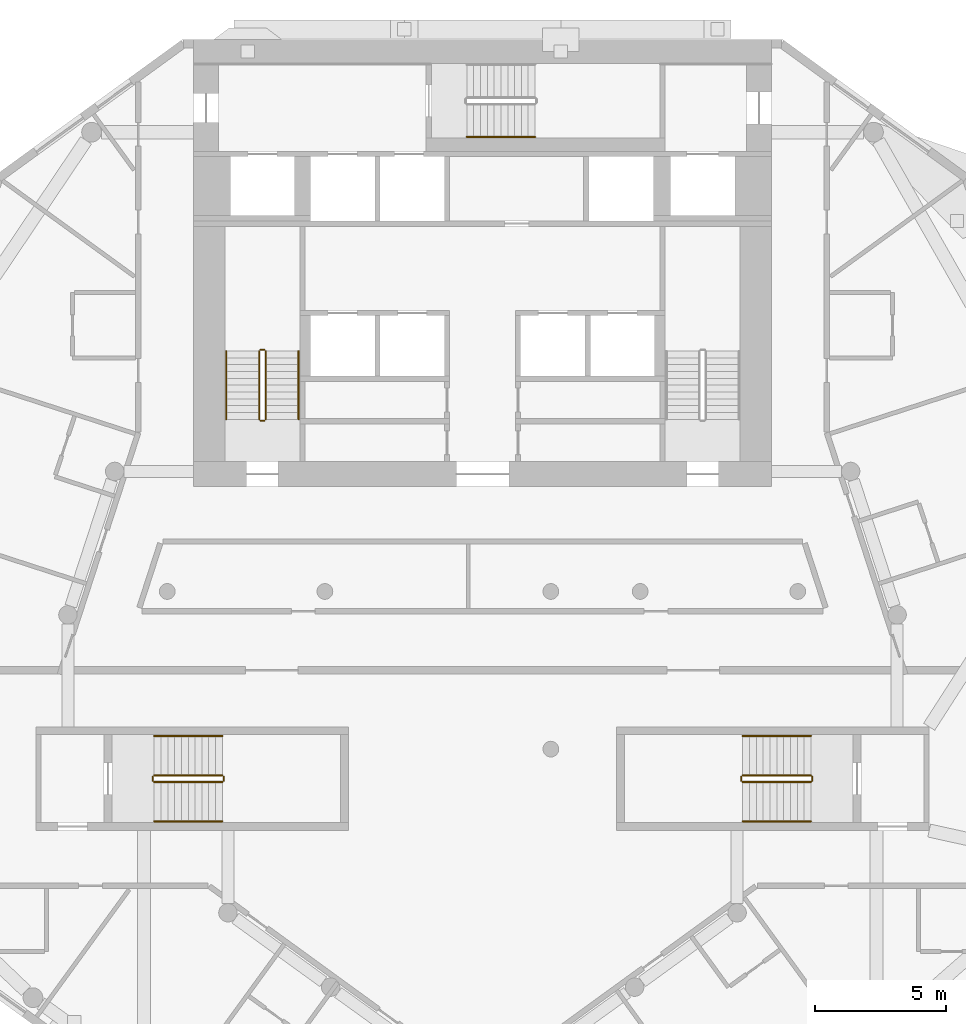
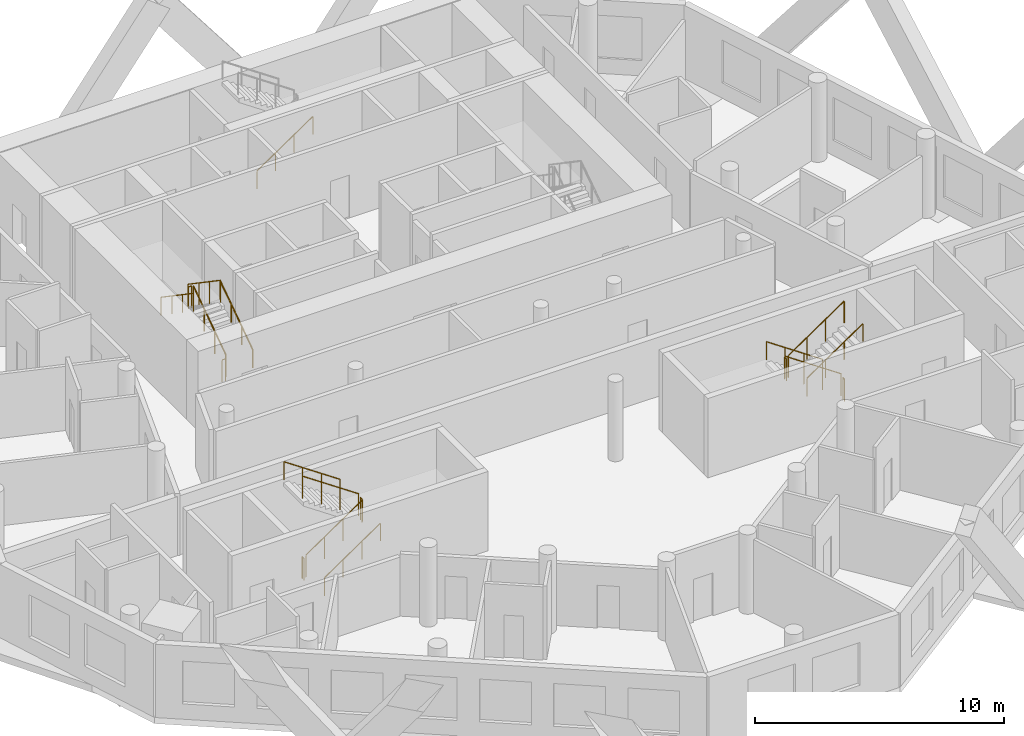
# One storey, part 9 of 10: 19 railings.
"""IFC4 building model written with IfcOpenShell, lengths in metres."""

import ifcopenshell
import ifcopenshell.guid

model = None  # the IFC model being written
_history = None  # IfcOwnerHistory: only IFC2X3 demands one
_inside = {}  # id of a spatial element -> (the spatial element, [elements in it])
_under = {}  # id of a project, library or spatial element -> (it, [spatial elements below it])
_declared = {}  # id of a project -> (the project, [libraries it declares])
_typed = {}  # id of a type object -> (the type object, [elements of that type])
_made_of = {}  # id of a material, layer set ... -> (it, [elements and type objects made of it])


def new_model(schema):
    """Start an empty IFC model of exactly this schema.

    Asked for "IFC4X3", IfcOpenShell would pick the latest addendum, in which some entities
    have other attributes; the version numbers below select the first issue.
    IFC2X3 requires an IfcOwnerHistory on every rooted entity: one is made here for all.
    """
    global model, _history
    if schema == "IFC4X3":
        model = ifcopenshell.file(schema_version=(4, 3, 0, 0))
    else:
        model = ifcopenshell.file(schema=schema)
    _inside.clear()
    _under.clear()
    _declared.clear()
    _typed.clear()
    _made_of.clear()
    _history = None
    if model.schema == "IFC2X3":
        org = make("IfcOrganization", Name="unknown")
        user = make(
            "IfcPersonAndOrganization",
            ThePerson=make("IfcPerson", FamilyName="unknown"),
            TheOrganization=org,
        )
        app = make(
            "IfcApplication",
            ApplicationDeveloper=org,
            Version="unknown",
            ApplicationFullName="unknown",
            ApplicationIdentifier="unknown",
        )
        _history = make(
            "IfcOwnerHistory",
            OwningUser=user,
            OwningApplication=app,
            ChangeAction="ADDED",
            CreationDate=0,
        )
    return model


def make(cls, **values):
    """One entity of the class cls with the attributes given. An attribute that is None is left unset."""
    return model.create_entity(
        cls, **{name: value for name, value in values.items() if value is not None}
    )


def rooted(cls, **values):
    """An entity with a GlobalId (a new one), such as an element, a storey or a relation."""
    return make(cls, GlobalId=ifcopenshell.guid.new(), OwnerHistory=_history, **values)


def si_unit(unit_type, name, prefix=None):
    """IfcSIUnit, for example si_unit("LENGTHUNIT", "METRE", prefix="MILLI")."""
    return make("IfcSIUnit", UnitType=unit_type, Prefix=prefix, Name=name)


def assignment(units):
    """IfcUnitAssignment: the units of a project."""
    return None if units is None else make("IfcUnitAssignment", Units=units)


def point(xyz):
    """IfcCartesianPoint."""
    return None if xyz is None else make("IfcCartesianPoint", Coordinates=xyz)


def direction(xyz):
    """IfcDirection."""
    return None if xyz is None else make("IfcDirection", DirectionRatios=xyz)


def frame(location, z_axis=None, x_axis=None):
    """IfcAxis2Placement3D, a coordinate frame: its origin and axes. An axis left out is left unset."""
    return make(
        "IfcAxis2Placement3D",
        Location=point(location),
        Axis=direction(z_axis),
        RefDirection=direction(x_axis),
    )


def frame_2d(location, x_axis=None):
    """IfcAxis2Placement2D, a coordinate frame in the plane: its origin and x axis."""
    return make(
        "IfcAxis2Placement2D", Location=point(location), RefDirection=direction(x_axis)
    )


def origin():
    """The frame at (0, 0, 0) with its axes left unset."""
    return frame((0.0, 0.0, 0.0))


def origin_2d():
    """The frame at (0, 0) in the plane with its x axis left unset."""
    return frame_2d((0.0, 0.0))


def place(relative_to, where):
    """IfcLocalPlacement: puts the frame where relative to a parent placement (None: the world)."""
    return make(
        "IfcLocalPlacement", PlacementRelTo=relative_to, RelativePlacement=where
    )


def context(
    kind, dimensions, precision=None, world=None, true_north=None, identifier=None
):
    """IfcGeometricRepresentationContext, for example the 3D "Model" context."""
    return make(
        "IfcGeometricRepresentationContext",
        ContextIdentifier=identifier,
        ContextType=kind,
        CoordinateSpaceDimension=dimensions,
        Precision=precision,
        WorldCoordinateSystem=world,
        TrueNorth=true_north,
    )


def subcontext(parent, identifier, kind, view, scale=None):
    """IfcGeometricRepresentationSubContext, for example "Body" below "Model"."""
    return make(
        "IfcGeometricRepresentationSubContext",
        ContextIdentifier=identifier,
        ContextType=kind,
        ParentContext=parent,
        TargetScale=scale,
        TargetView=view,
    )


def project(units=None, contexts=None):
    """IfcProject with its units and contexts."""
    return rooted(
        "IfcProject",
        Name="project",
        RepresentationContexts=contexts,
        UnitsInContext=assignment(units),
    )


def spatial(cls, under=None, at=None, **own):
    """A site, building, storey or space (cls), placed at a placement, below another one or the project."""
    s = rooted(cls, ObjectPlacement=at, **own)
    if under is not None:
        _under.setdefault(under.id(), (under, []))[1].append(s)
    return s


def profile(cls, at=None, kind="AREA", **sizes):
    """A parametric profile (cls). Its sizes go by their IFC names, for example OverallWidth=200.0."""
    return make(cls, ProfileType=kind, Position=at, **sizes)


def circle(**sizes):
    """IfcCircleProfileDef."""
    return profile("IfcCircleProfileDef", **sizes)


def extrude(swept, where, along, depth):
    """IfcExtrudedAreaSolid: the profile swept, set in the frame where, extruded along a direction by depth."""
    return make(
        "IfcExtrudedAreaSolid",
        SweptArea=swept,
        Position=where,
        ExtrudedDirection=direction(along),
        Depth=depth,
    )


def shape(context_of_items, identifier, shape_type, items):
    """IfcShapeRepresentation: the items that make up one representation, for example the "Body"."""
    return make(
        "IfcShapeRepresentation",
        ContextOfItems=context_of_items,
        RepresentationIdentifier=identifier,
        RepresentationType=shape_type,
        Items=items,
    )


def material(Name=None, Category=None):
    """IfcMaterial."""
    return make("IfcMaterial", Name=Name, Category=Category)


def made_of(thing, what):
    """Note that an element or type object is made of a material, layer set ...; save() writes the relation."""
    if what is not None:
        _made_of.setdefault(what.id(), (what, []))[1].append(thing)
    return thing


def type_object(cls, material=None, **own):
    """A type object (cls), such as IfcWallType, which elements share."""
    return made_of(rooted(cls, **own), material)


def element(
    cls,
    number,
    at=None,
    inside=None,
    cuts=None,
    type_object=None,
    material=None,
    context=None,
    identifier="Body",
    shape_type=None,
    held_by="IfcProductDefinitionShape",
    body=None,
    shapes=None,
    **own,
):
    """One element of the class cls, such as IfcWall. Its Tag is "e" and its number.

    at: its placement. inside: the storey or other place that contains it. cuts: it is an
    opening in that element (IfcRelVoidsElement). A single representation is given by context,
    identifier, shape_type and body (its items); several are given by shapes. held_by: the class
    of the entity that holds the representations. save() writes the other relations.
    """
    e = rooted(cls, Tag="e%d" % number, ObjectPlacement=at, **own)
    if body is not None:
        shapes = [shape(context, identifier, shape_type, body)]
    if shapes is not None:
        e.Representation = make(held_by, Representations=shapes)
    if inside is not None:
        _inside.setdefault(inside.id(), (inside, []))[1].append(e)
    if cuts is not None:
        rooted(
            "IfcRelVoidsElement", RelatingBuildingElement=cuts, RelatedOpeningElement=e
        )
    if type_object is not None:
        _typed.setdefault(type_object.id(), (type_object, []))[1].append(e)
    return made_of(e, material)


def aggregate(whole, parts):
    """IfcRelAggregates: a whole, such as a stair, and the parts it consists of."""
    return rooted("IfcRelAggregates", RelatingObject=whole, RelatedObjects=parts)


def save(model, path):
    """Write the relations noted so far, then the file.

    IfcRelAggregates (storeys below a building ...), IfcRelContainedInSpatialStructure (elements
    in a storey), IfcRelDefinesByType, IfcRelAssociatesMaterial and IfcRelDeclares: one each for
    every whole, place, type object, material and project.
    """
    for whole, parts in _under.values():
        aggregate(whole, parts)
    for where, things in _inside.values():
        rooted(
            "IfcRelContainedInSpatialStructure",
            RelatedElements=things,
            RelatingStructure=where,
        )
    for kind, things in _typed.values():
        rooted("IfcRelDefinesByType", RelatedObjects=things, RelatingType=kind)
    for what, things in _made_of.values():
        rooted("IfcRelAssociatesMaterial", RelatedObjects=things, RelatingMaterial=what)
    for by, libraries in _declared.values():
        rooted("IfcRelDeclares", RelatingContext=by, RelatedDefinitions=libraries)
    model.write(path)


model = new_model("IFC4")

# Units and contexts
model_context = context("Model", 3, precision=1e-05, world=origin(), true_north=direction((0.0, 1.0)))
body_context = subcontext(model_context, "Body", "Model", "MODEL_VIEW")
ifc_project = project(units=[si_unit("LENGTHUNIT", "METRE"), si_unit("AREAUNIT", "SQUARE_METRE"), si_unit("VOLUMEUNIT", "CUBIC_METRE"), si_unit("PLANEANGLEUNIT", "RADIAN"), si_unit("MASSUNIT", "GRAM", prefix="KILO")], contexts=[model_context])

# Site, building, storey
site_placement = place(None, origin())
site = spatial("IfcSite", under=ifc_project, at=site_placement, CompositionType="ELEMENT")
building_placement = place(site_placement, origin())
building = spatial("IfcBuilding", under=site, at=building_placement, Name="White Candle Pilgrim Tower", CompositionType="ELEMENT")
storey_placement = place(building_placement, frame((0.0, 0.0, 183.699951171875)))
storey = spatial("IfcBuildingStorey", under=building, at=storey_placement, Name="L42", CompositionType="ELEMENT", Elevation=183.699951171875)

# Railings
ifc_material = material(Name="Stainless steel", Category="steel")
railing_type_1 = type_object("IfcRailingType", Name="Stair guard stainless steel 1100 mm", PredefinedType="GUARDRAIL", material=ifc_material)
railing_1_placement = place(storey_placement, frame((61.75, 73.550048828125, 0.17724609375)))
element("IfcRailing", 1, at=railing_1_placement, inside=storey, type_object=railing_type_1, Name="L42 ST1 stair guard 1", PredefinedType="GUARDRAIL", context=body_context, shape_type="SweptSolid", body=[
    extrude(circle(Radius=0.02392578125, at=origin_2d()), frame((0.0, 0.0, 1.076171875), z_axis=(0.0, 0.826215852431, 0.563353676824), x_axis=(-1.0, 0.0, 0.0)), (0.0, 0.0, 1.0), 3.146728515625),
    extrude(circle(Radius=0.02099609375, at=origin_2d()), origin(), (0.0, 0.0, 1.0), 1.052001953125),
    extrude(circle(Radius=0.02099609375, at=origin_2d()), frame((0.0, 0.86669921875, 0.5908203125)), (0.0, 0.0, 1.0), 1.052001953125),
    extrude(circle(Radius=0.02099609375, at=origin_2d()), frame((0.0, 1.733154296875, 1.181884765625)), (0.0, 0.0, 1.0), 1.052001953125),
    extrude(circle(Radius=0.02099609375, at=origin_2d()), frame((0.0, 2.599853515625, 1.772705078125)), (0.0, 0.0, 1.0), 1.052001953125),
])
railing_2_placement = place(storey_placement, frame((61.699951171875, 76.199951171875, 1.949951171875)))
element("IfcRailing", 2, at=railing_2_placement, inside=storey, type_object=railing_type_1, Name="L42 ST1 stair guard 2", PredefinedType="GUARDRAIL", context=body_context, shape_type="SweptSolid", body=[
    extrude(circle(Radius=0.02392578125, at=origin_2d()), frame((0.0, 0.0, 1.076171875), z_axis=(-1.0, 0.0, 0.0), x_axis=(0.0, -1.0, 0.0)), (0.0, 0.0, 1.0), 0.14990234375),
    extrude(circle(Radius=0.02099609375, at=origin_2d()), origin(), (0.0, 0.0, 1.0), 1.052001953125),
    extrude(circle(Radius=0.02099609375, at=origin_2d()), frame((-0.14990234375, 0.0, 0.0)), (0.0, 0.0, 1.0), 1.052001953125),
])
railing_3_placement = place(storey_placement, frame((61.5, 76.14990234375, 2.12744140625)))
element("IfcRailing", 3, at=railing_3_placement, inside=storey, type_object=railing_type_1, Name="L42 ST1 stair guard 3", PredefinedType="GUARDRAIL", context=body_context, shape_type="SweptSolid", body=[
    extrude(circle(Radius=0.02392578125, at=origin_2d()), frame((0.0, 0.0, 1.076171875), z_axis=(0.0, -0.826215852431, 0.563353676824), x_axis=(1.0, 0.0, 0.0)), (0.0, 0.0, 1.0), 3.146728515625),
    extrude(circle(Radius=0.02099609375, at=origin_2d()), origin(), (0.0, 0.0, 1.0), 1.052001953125),
    extrude(circle(Radius=0.02099609375, at=origin_2d()), frame((0.0, -0.86669921875, 0.5908203125)), (0.0, 0.0, 1.0), 1.052001953125),
    extrude(circle(Radius=0.02099609375, at=origin_2d()), frame((0.0, -1.733154296875, 1.181884765625)), (0.0, 0.0, 1.0), 1.052001953125),
    extrude(circle(Radius=0.02099609375, at=origin_2d()), frame((0.0, -2.599853515625, 1.772705078125)), (0.0, 0.0, 1.0), 1.052001953125),
])
railing_4_placement = place(storey_placement, frame((61.699951171875, 73.5, 0.0)))
element("IfcRailing", 4, at=railing_4_placement, inside=storey, type_object=railing_type_1, Name="L42 ST1 stair guard 4", PredefinedType="GUARDRAIL", context=body_context, shape_type="SweptSolid", body=[
    extrude(circle(Radius=0.02392578125, at=origin_2d()), frame((0.0, 0.0, 1.076171875), z_axis=(-1.0, 0.0, 0.0), x_axis=(0.0, -1.0, 0.0)), (0.0, 0.0, 1.0), 0.14990234375),
    extrude(circle(Radius=0.02099609375, at=origin_2d()), origin(), (0.0, 0.0, 1.0), 1.052001953125),
    extrude(circle(Radius=0.02099609375, at=origin_2d()), frame((-0.14990234375, 0.0, 0.0)), (0.0, 0.0, 1.0), 1.052001953125),
])
railing_5_placement = place(storey_placement, frame((82.5, 60.0, 0.17724609375)))
element("IfcRailing", 5, at=railing_5_placement, inside=storey, type_object=railing_type_1, Name="L42 ST4 stair guard 1", PredefinedType="GUARDRAIL", context=body_context, shape_type="SweptSolid", body=[
    extrude(circle(Radius=0.02392578125, at=origin_2d()), frame((0.0, 0.0, 1.076171875), z_axis=(-0.826240473404, 0.0, 0.563317565952), x_axis=(0.0, -1.0, 0.0)), (0.0, 0.0, 1.0), 3.14697265625),
    extrude(circle(Radius=0.02099609375, at=origin_2d()), origin(), (0.0, 0.0, 1.0), 1.052001953125),
    extrude(circle(Radius=0.02099609375, at=origin_2d()), frame((-0.86669921875, 0.0, 0.5908203125)), (0.0, 0.0, 1.0), 1.052001953125),
    extrude(circle(Radius=0.02099609375, at=origin_2d()), frame((-1.7333984375, 0.0, 1.181884765625)), (0.0, 0.0, 1.0), 1.052001953125),
    extrude(circle(Radius=0.02099609375, at=origin_2d()), frame((-2.60009765625, 0.0, 1.772705078125)), (0.0, 0.0, 1.0), 1.052001953125),
])
railing_6_placement = place(storey_placement, frame((79.85009765625, 59.949951171875, 1.949951171875)))
element("IfcRailing", 6, at=railing_6_placement, inside=storey, type_object=railing_type_1, Name="L42 ST4 stair guard 2", PredefinedType="GUARDRAIL", context=body_context, shape_type="SweptSolid", body=[
    extrude(circle(Radius=0.02392578125, at=origin_2d()), frame((0.0, 0.0, 1.076171875), z_axis=(0.0, -1.0, 0.0), x_axis=(1.0, 0.0, 0.0)), (0.0, 0.0, 1.0), 0.14990234375),
    extrude(circle(Radius=0.02099609375, at=origin_2d()), origin(), (0.0, 0.0, 1.0), 1.052001953125),
    extrude(circle(Radius=0.02099609375, at=origin_2d()), frame((0.0, -0.14990234375, 0.0)), (0.0, 0.0, 1.0), 1.052001953125),
])
railing_7_placement = place(storey_placement, frame((79.89990234375, 59.75, 2.12744140625)))
element("IfcRailing", 7, at=railing_7_placement, inside=storey, type_object=railing_type_1, Name="L42 ST4 stair guard 3", PredefinedType="GUARDRAIL", context=body_context, shape_type="SweptSolid", body=[
    extrude(circle(Radius=0.02392578125, at=origin_2d()), frame((0.0, 0.0, 1.076171875), z_axis=(0.826240473404, 0.0, 0.563317565952), x_axis=(0.0, 1.0, 0.0)), (0.0, 0.0, 1.0), 3.14697265625),
    extrude(circle(Radius=0.02099609375, at=origin_2d()), origin(), (0.0, 0.0, 1.0), 1.052001953125),
    extrude(circle(Radius=0.02099609375, at=origin_2d()), frame((0.86669921875, 0.0, 0.5908203125)), (0.0, 0.0, 1.0), 1.052001953125),
    extrude(circle(Radius=0.02099609375, at=origin_2d()), frame((1.7333984375, 0.0, 1.181884765625)), (0.0, 0.0, 1.0), 1.052001953125),
    extrude(circle(Radius=0.02099609375, at=origin_2d()), frame((2.60009765625, 0.0, 1.772705078125)), (0.0, 0.0, 1.0), 1.052001953125),
])
railing_8_placement = place(storey_placement, frame((82.550048828125, 59.949951171875, 0.0)))
element("IfcRailing", 8, at=railing_8_placement, inside=storey, type_object=railing_type_1, Name="L42 ST4 stair guard 4", PredefinedType="GUARDRAIL", context=body_context, shape_type="SweptSolid", body=[
    extrude(circle(Radius=0.02392578125, at=origin_2d()), frame((0.0, 0.0, 1.076171875), z_axis=(0.0, -1.0, 0.0), x_axis=(1.0, 0.0, 0.0)), (0.0, 0.0, 1.0), 0.14990234375),
    extrude(circle(Radius=0.02099609375, at=origin_2d()), origin(), (0.0, 0.0, 1.0), 1.052001953125),
    extrude(circle(Radius=0.02099609375, at=origin_2d()), frame((0.0, -0.14990234375, 0.0)), (0.0, 0.0, 1.0), 1.052001953125),
])
railing_9_placement = place(storey_placement, frame((57.5, 59.75, 0.17724609375)))
element("IfcRailing", 9, at=railing_9_placement, inside=storey, type_object=railing_type_1, Name="L42 ST5 stair guard 1", PredefinedType="GUARDRAIL", context=body_context, shape_type="SweptSolid", body=[
    extrude(circle(Radius=0.02392578125, at=origin_2d()), frame((0.0, 0.0, 1.076171875), z_axis=(0.826240473404, 0.0, 0.563317565952), x_axis=(0.0, 1.0, 0.0)), (0.0, 0.0, 1.0), 3.14697265625),
    extrude(circle(Radius=0.02099609375, at=origin_2d()), origin(), (0.0, 0.0, 1.0), 1.052001953125),
    extrude(circle(Radius=0.02099609375, at=origin_2d()), frame((0.86669921875, 0.0, 0.5908203125)), (0.0, 0.0, 1.0), 1.052001953125),
    extrude(circle(Radius=0.02099609375, at=origin_2d()), frame((1.7333984375, 0.0, 1.181884765625)), (0.0, 0.0, 1.0), 1.052001953125),
    extrude(circle(Radius=0.02099609375, at=origin_2d()), frame((2.60009765625, 0.0, 1.772705078125)), (0.0, 0.0, 1.0), 1.052001953125),
])
railing_10_placement = place(storey_placement, frame((60.14990234375, 59.800048828125, 1.949951171875)))
element("IfcRailing", 10, at=railing_10_placement, inside=storey, type_object=railing_type_1, Name="L42 ST5 stair guard 2", PredefinedType="GUARDRAIL", context=body_context, shape_type="SweptSolid", body=[
    extrude(circle(Radius=0.02392578125, at=origin_2d()), frame((0.0, 0.0, 1.076171875), z_axis=(0.0, 1.0, 0.0), x_axis=(-1.0, 0.0, 0.0)), (0.0, 0.0, 1.0), 0.14990234375),
    extrude(circle(Radius=0.02099609375, at=origin_2d()), origin(), (0.0, 0.0, 1.0), 1.052001953125),
    extrude(circle(Radius=0.02099609375, at=origin_2d()), frame((0.0, 0.14990234375, 0.0)), (0.0, 0.0, 1.0), 1.052001953125),
])
railing_11_placement = place(storey_placement, frame((60.10009765625, 60.0, 2.12744140625)))
element("IfcRailing", 11, at=railing_11_placement, inside=storey, type_object=railing_type_1, Name="L42 ST5 stair guard 3", PredefinedType="GUARDRAIL", context=body_context, shape_type="SweptSolid", body=[
    extrude(circle(Radius=0.02392578125, at=origin_2d()), frame((0.0, 0.0, 1.076171875), z_axis=(-0.826240473404, 0.0, 0.563317565952), x_axis=(0.0, -1.0, 0.0)), (0.0, 0.0, 1.0), 3.14697265625),
    extrude(circle(Radius=0.02099609375, at=origin_2d()), origin(), (0.0, 0.0, 1.0), 1.052001953125),
    extrude(circle(Radius=0.02099609375, at=origin_2d()), frame((-0.86669921875, 0.0, 0.5908203125)), (0.0, 0.0, 1.0), 1.052001953125),
    extrude(circle(Radius=0.02099609375, at=origin_2d()), frame((-1.7333984375, 0.0, 1.181884765625)), (0.0, 0.0, 1.0), 1.052001953125),
    extrude(circle(Radius=0.02099609375, at=origin_2d()), frame((-2.60009765625, 0.0, 1.772705078125)), (0.0, 0.0, 1.0), 1.052001953125),
])
railing_12_placement = place(storey_placement, frame((57.449951171875, 59.800048828125, 0.0)))
element("IfcRailing", 12, at=railing_12_placement, inside=storey, type_object=railing_type_1, Name="L42 ST5 stair guard 4", PredefinedType="GUARDRAIL", context=body_context, shape_type="SweptSolid", body=[
    extrude(circle(Radius=0.02392578125, at=origin_2d()), frame((0.0, 0.0, 1.076171875), z_axis=(0.0, 1.0, 0.0), x_axis=(-1.0, 0.0, 0.0)), (0.0, 0.0, 1.0), 0.14990234375),
    extrude(circle(Radius=0.02099609375, at=origin_2d()), origin(), (0.0, 0.0, 1.0), 1.052001953125),
    extrude(circle(Radius=0.02099609375, at=origin_2d()), frame((0.0, 0.14990234375, 0.0)), (0.0, 0.0, 1.0), 1.052001953125),
])
railing_type_2 = type_object("IfcRailingType", Name="Stair handrail stainless steel", PredefinedType="HANDRAIL", material=ifc_material)
railing_13_placement = place(storey_placement, frame((63.0, 73.550048828125, 0.17724609375)))
element("IfcRailing", 13, at=railing_13_placement, inside=storey, type_object=railing_type_2, Name="L42 ST1 stair handrail 1", PredefinedType="HANDRAIL", context=body_context, shape_type="SweptSolid", body=[
    extrude(circle(Radius=0.02392578125, at=origin_2d()), frame((0.0, 0.0, 0.8759765625), z_axis=(0.0, 0.826215852431, 0.563353676824), x_axis=(-1.0, 0.0, 0.0)), (0.0, 0.0, 1.0), 3.146728515625),
    extrude(circle(Radius=0.02099609375, at=origin_2d()), origin(), (0.0, 0.0, 1.0), 0.851806640625),
    extrude(circle(Radius=0.02099609375, at=origin_2d()), frame((0.0, 0.86669921875, 0.5908203125)), (0.0, 0.0, 1.0), 0.851806640625),
    extrude(circle(Radius=0.02099609375, at=origin_2d()), frame((0.0, 1.733154296875, 1.181884765625)), (0.0, 0.0, 1.0), 0.851806640625),
    extrude(circle(Radius=0.02099609375, at=origin_2d()), frame((0.0, 2.599853515625, 1.772705078125)), (0.0, 0.0, 1.0), 0.851806640625),
])
railing_14_placement = place(storey_placement, frame((60.25, 76.14990234375, 2.12744140625)))
element("IfcRailing", 14, at=railing_14_placement, inside=storey, type_object=railing_type_2, Name="L42 ST1 stair handrail 2", PredefinedType="HANDRAIL", context=body_context, shape_type="SweptSolid", body=[
    extrude(circle(Radius=0.02392578125, at=origin_2d()), frame((0.0, 0.0, 0.8759765625), z_axis=(0.0, -0.826215852431, 0.563353676824), x_axis=(1.0, 0.0, 0.0)), (0.0, 0.0, 1.0), 3.146728515625),
    extrude(circle(Radius=0.02099609375, at=origin_2d()), origin(), (0.0, 0.0, 1.0), 0.851806640625),
    extrude(circle(Radius=0.02099609375, at=origin_2d()), frame((0.0, -0.86669921875, 0.5908203125)), (0.0, 0.0, 1.0), 0.851806640625),
    extrude(circle(Radius=0.02099609375, at=origin_2d()), frame((0.0, -1.733154296875, 1.181884765625)), (0.0, 0.0, 1.0), 0.851806640625),
    extrude(circle(Radius=0.02099609375, at=origin_2d()), frame((0.0, -2.599853515625, 1.772705078125)), (0.0, 0.0, 1.0), 0.851806640625),
])
railing_15_placement = place(storey_placement, frame((69.39990234375, 84.300048828125, 0.17724609375)))
element("IfcRailing", 15, at=railing_15_placement, inside=storey, type_object=railing_type_2, Name="L42 ST3 stair handrail 1", PredefinedType="HANDRAIL", context=body_context, shape_type="SweptSolid", body=[
    extrude(circle(Radius=0.02392578125, at=origin_2d()), frame((0.0, 0.0, 0.8759765625), z_axis=(0.826240473404, 0.0, 0.563317565952), x_axis=(0.0, 1.0, 0.0)), (0.0, 0.0, 1.0), 3.14697265625),
    extrude(circle(Radius=0.02099609375, at=origin_2d()), origin(), (0.0, 0.0, 1.0), 0.851806640625),
    extrude(circle(Radius=0.02099609375, at=origin_2d()), frame((0.86669921875, 0.0, 0.5908203125)), (0.0, 0.0, 1.0), 0.851806640625),
    extrude(circle(Radius=0.02099609375, at=origin_2d()), frame((1.7333984375, 0.0, 1.181884765625)), (0.0, 0.0, 1.0), 0.851806640625),
    extrude(circle(Radius=0.02099609375, at=origin_2d()), frame((2.60009765625, 0.0, 1.772705078125)), (0.0, 0.0, 1.0), 0.851806640625),
])
railing_16_placement = place(storey_placement, frame((82.5, 61.5, 0.17724609375)))
element("IfcRailing", 16, at=railing_16_placement, inside=storey, type_object=railing_type_2, Name="L42 ST4 stair handrail 1", PredefinedType="HANDRAIL", context=body_context, shape_type="SweptSolid", body=[
    extrude(circle(Radius=0.02392578125, at=origin_2d()), frame((0.0, 0.0, 0.8759765625), z_axis=(-0.826240473404, 0.0, 0.563317565952), x_axis=(0.0, -1.0, 0.0)), (0.0, 0.0, 1.0), 3.14697265625),
    extrude(circle(Radius=0.02099609375, at=origin_2d()), origin(), (0.0, 0.0, 1.0), 0.851806640625),
    extrude(circle(Radius=0.02099609375, at=origin_2d()), frame((-0.86669921875, 0.0, 0.5908203125)), (0.0, 0.0, 1.0), 0.851806640625),
    extrude(circle(Radius=0.02099609375, at=origin_2d()), frame((-1.7333984375, 0.0, 1.181884765625)), (0.0, 0.0, 1.0), 0.851806640625),
    extrude(circle(Radius=0.02099609375, at=origin_2d()), frame((-2.60009765625, 0.0, 1.772705078125)), (0.0, 0.0, 1.0), 0.851806640625),
])
for number, where, name in (
    (17, (79.89990234375, 58.25, 2.12744140625), "L42 ST4 stair handrail 2"),
    (18, (57.5, 58.25, 0.17724609375), "L42 ST5 stair handrail 1"),
):
    element("IfcRailing", number, at=place(storey_placement, frame(where)), inside=storey, type_object=railing_type_2, Name=name, PredefinedType="HANDRAIL", context=body_context, shape_type="SweptSolid", body=[
        extrude(circle(Radius=0.02392578125, at=origin_2d()), frame((0.0, 0.0, 0.8759765625), z_axis=(0.826240473404, 0.0, 0.563317565952), x_axis=(0.0, 1.0, 0.0)), (0.0, 0.0, 1.0), 3.14697265625),
        extrude(circle(Radius=0.02099609375, at=origin_2d()), origin(), (0.0, 0.0, 1.0), 0.851806640625),
        extrude(circle(Radius=0.02099609375, at=origin_2d()), frame((0.86669921875, 0.0, 0.5908203125)), (0.0, 0.0, 1.0), 0.851806640625),
        extrude(circle(Radius=0.02099609375, at=origin_2d()), frame((1.7333984375, 0.0, 1.181884765625)), (0.0, 0.0, 1.0), 0.851806640625),
        extrude(circle(Radius=0.02099609375, at=origin_2d()), frame((2.60009765625, 0.0, 1.772705078125)), (0.0, 0.0, 1.0), 0.851806640625),
    ])
railing_17_placement = place(storey_placement, frame((60.10009765625, 61.5, 2.12744140625)))
element("IfcRailing", 19, at=railing_17_placement, inside=storey, type_object=railing_type_2, Name="L42 ST5 stair handrail 2", PredefinedType="HANDRAIL", context=body_context, shape_type="SweptSolid", body=[
    extrude(circle(Radius=0.02392578125, at=origin_2d()), frame((0.0, 0.0, 0.8759765625), z_axis=(-0.826240473404, 0.0, 0.563317565952), x_axis=(0.0, -1.0, 0.0)), (0.0, 0.0, 1.0), 3.14697265625),
    extrude(circle(Radius=0.02099609375, at=origin_2d()), origin(), (0.0, 0.0, 1.0), 0.851806640625),
    extrude(circle(Radius=0.02099609375, at=origin_2d()), frame((-0.86669921875, 0.0, 0.5908203125)), (0.0, 0.0, 1.0), 0.851806640625),
    extrude(circle(Radius=0.02099609375, at=origin_2d()), frame((-1.7333984375, 0.0, 1.181884765625)), (0.0, 0.0, 1.0), 0.851806640625),
    extrude(circle(Radius=0.02099609375, at=origin_2d()), frame((-2.60009765625, 0.0, 1.772705078125)), (0.0, 0.0, 1.0), 0.851806640625),
])

save(model, "model.ifc")
